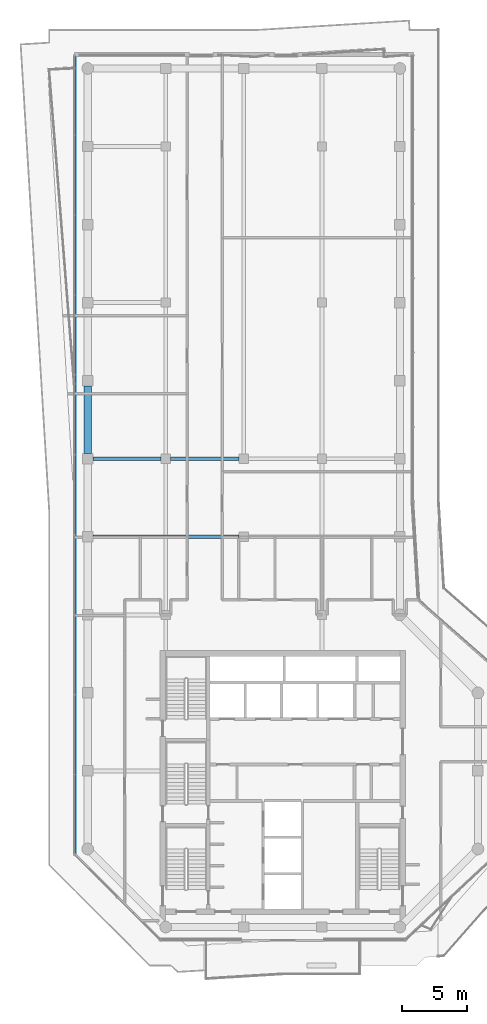
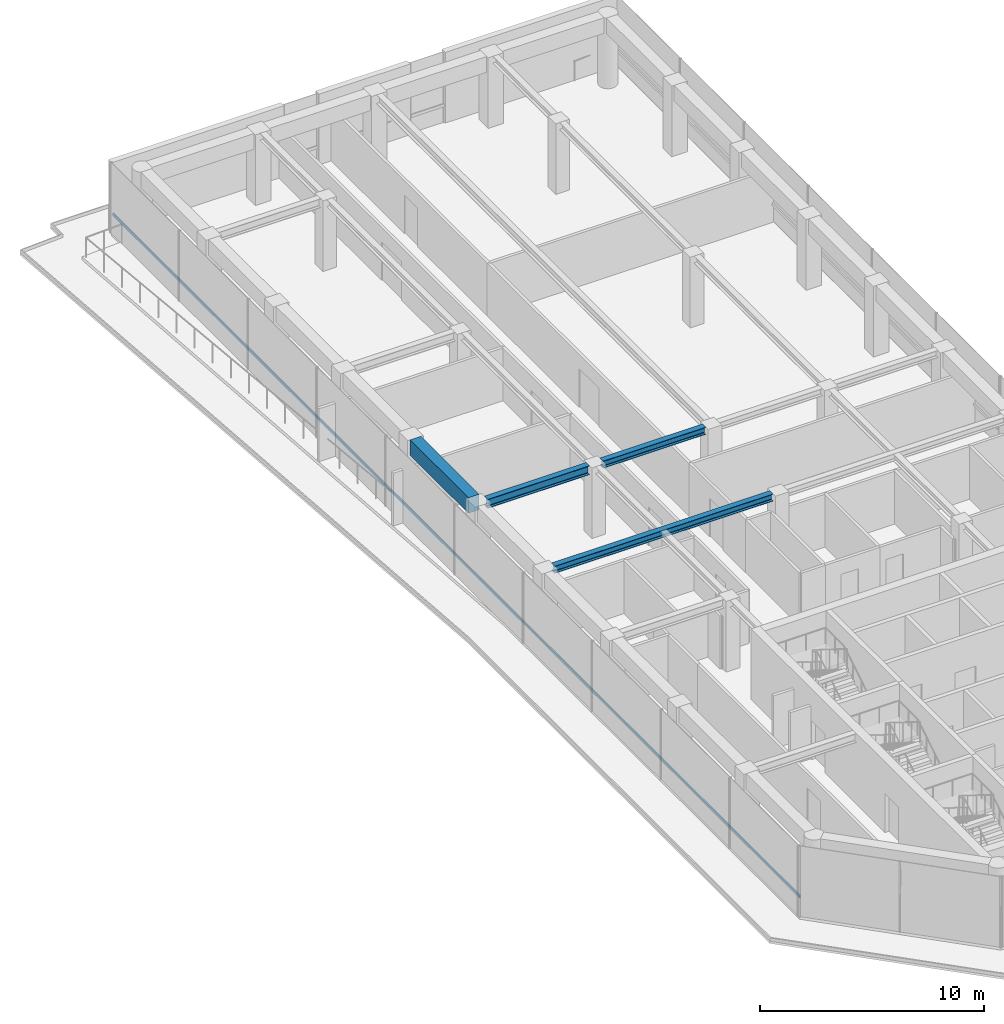
# One storey, part 7 of 21: 4 beams, 1 member, 1 element without a shape of its own.
"""IFC4 building model written with IfcOpenShell, lengths in metres."""

from ifc_helpers import new_model, si_unit, direction, frame, origin, origin_2d, place, context, subcontext, project, spatial, rectangle, i_section, extrude, material, layer, layer_set, material_profile, profile_set, type_object, element, aggregate, save


model = new_model("IFC4")

# Units and contexts
model_context = context("Model", 3, precision=1e-05, world=origin(), true_north=direction((0.0, 1.0)))
body_context = subcontext(model_context, "Body", "Model", "MODEL_VIEW")
ifc_project = project(units=[si_unit("LENGTHUNIT", "METRE"), si_unit("AREAUNIT", "SQUARE_METRE"), si_unit("VOLUMEUNIT", "CUBIC_METRE"), si_unit("PLANEANGLEUNIT", "RADIAN"), si_unit("MASSUNIT", "GRAM", prefix="KILO")], contexts=[model_context])

# Site, building, storey
site_placement = place(None, origin())
site = spatial("IfcSite", under=ifc_project, at=site_placement, CompositionType="ELEMENT")
building_placement = place(site_placement, origin())
building = spatial("IfcBuilding", under=site, at=building_placement, Name="Welwitschia Terrace Campus", CompositionType="ELEMENT")
storey_placement = place(building_placement, frame((0.0, 0.0, 213.800048828125)))
storey = spatial("IfcBuildingStorey", under=building, at=storey_placement, Name="L47", CompositionType="ELEMENT", Elevation=213.800048828125)

# Beams
ifc_material_1 = material(Name="Steel S355", Category="steel")
ifc_material_profile_1 = material_profile(ifc_material_1, i_section(OverallWidth=0.300048828125, OverallDepth=0.389892578125, WebThickness=0.010986328125, FlangeThickness=0.01904296875, FilletRadius=0.027099609375, at=origin_2d()))
ifc_profile_set_1 = profile_set([ifc_material_profile_1], Name="Steel S355")
beam_type_1 = type_object("IfcBeamType", Name="Interior girder HE 400 A", PredefinedType="BEAM", material=ifc_profile_set_1)
beam_1_placement = place(storey_placement, frame((0.390380859375, 34.0, 3.655029296875), z_axis=(1.0, 0.0, 0.0), x_axis=(0.0, 1.0, 0.0)))
element("IfcBeam", 1, at=beam_1_placement, inside=storey, type_object=beam_type_1, Name="Girder GB5", PredefinedType="BEAM", context=body_context, shape_type="SweptSolid", body=[
    extrude(i_section(OverallWidth=0.300048828125, OverallDepth=0.389892578125, WebThickness=0.010986328125, FlangeThickness=0.01904296875, FilletRadius=0.027099609375, at=origin_2d()), origin(), (0.0, 0.0, 1.0), 11.259033203125),
])
beam_2_placement = place(storey_placement, frame((6.3505859375, 40.0, 3.655029296875), z_axis=(1.0, 0.0, 0.0), x_axis=(0.0, 1.0, 0.0)))
element("IfcBeam", 2, at=beam_2_placement, inside=storey, type_object=beam_type_1, Name="Girder GB5", PredefinedType="BEAM", context=body_context, shape_type="SweptSolid", body=[
    extrude(i_section(OverallWidth=0.300048828125, OverallDepth=0.389892578125, WebThickness=0.010986328125, FlangeThickness=0.01904296875, FilletRadius=0.027099609375, at=origin_2d()), origin(), (0.0, 0.0, 1.0), 5.298828125),
])
ifc_material_2 = material(Name="Steel S355", Category="steel")
ifc_material_profile_2 = material_profile(ifc_material_2, i_section(OverallWidth=0.300048828125, OverallDepth=0.489990234375, WebThickness=0.011962890625, FlangeThickness=0.02294921875, FilletRadius=0.027099609375, at=origin_2d()))
ifc_profile_set_2 = profile_set([ifc_material_profile_2], Name="Steel S355")
beam_type_2 = type_object("IfcBeamType", Name="Primary beam HE 500 A", PredefinedType="BEAM", material=ifc_profile_set_2)
beam_3_placement = place(storey_placement, frame((0.400390625, 40.0, 3.60498046875), z_axis=(1.0, 0.0, 0.0), x_axis=(0.0, 1.0, 0.0)))
element("IfcBeam", 3, at=beam_3_placement, inside=storey, type_object=beam_type_2, Name="Primary beam PB5", PredefinedType="BEAM", context=body_context, shape_type="SweptSolid", body=[
    extrude(i_section(OverallWidth=0.300048828125, OverallDepth=0.489990234375, WebThickness=0.011962890625, FlangeThickness=0.02294921875, FilletRadius=0.027099609375, at=origin_2d()), origin(), (0.0, 0.0, 1.0), 5.2490234375),
])
ifc_material_3 = material(Name="Concrete C50/60", Category="concrete")
ifc_material_profile_3 = material_profile(ifc_material_3, rectangle(XDim=0.550048828125, YDim=0.85009765625, at=origin_2d()))
ifc_profile_set_3 = profile_set([ifc_material_profile_3], Name="Concrete C50/60")
beam_type_3 = type_object("IfcBeamType", Name="Ring spandrel 550x850", PredefinedType="SPANDREL", material=ifc_profile_set_3)
beam_4_placement = place(storey_placement, frame((0.0, 45.599609375, 3.425048828125), z_axis=(0.0, -1.0, 0.0), x_axis=(1.0, 0.0, 0.0)))
element("IfcBeam", 4, at=beam_4_placement, inside=storey, type_object=beam_type_3, Name="Spandrel SP3", PredefinedType="SPANDREL", context=body_context, shape_type="SweptSolid", body=[
    extrude(rectangle(XDim=0.550048828125, YDim=0.85009765625, at=origin_2d()), origin(), (0.0, 0.0, 1.0), 5.19921875),
])

# Curtain wall, member
ifc_material_4 = material(Name="Bronze anodised aluminium", Category="aluminium")
ifc_layer = layer(ifc_material_4, 0.1201171875)
ifc_layer_set = layer_set([ifc_layer], Name="Bronze anodised aluminium")
curtain_wall_type = type_object("IfcCurtainWallType", Name="Curtain wall CW2 tower 6000", PredefinedType="NOTDEFINED", material=ifc_layer_set)
curtain_wall_placement = place(storey_placement, origin())
curtain_wall = element("IfcCurtainWall", 5, at=curtain_wall_placement, inside=storey, type_object=curtain_wall_type, Name="CW L47.8.0", PredefinedType="NOTDEFINED")
ifc_material_5 = material(Name="Bronze anodised aluminium", Category="aluminium")
ifc_material_profile_4 = material_profile(ifc_material_5, rectangle(XDim=0.06005859375, YDim=0.14990234375, at=origin_2d()))
ifc_profile_set_4 = profile_set([ifc_material_profile_4], Name="Bronze anodised aluminium")
member_type = type_object("IfcMemberType", Name="Transom 60x150", PredefinedType="USERDEFINED", material=ifc_profile_set_4)
member_placement = place(storey_placement, frame((-0.93994140625, 70.969970703125, 1.0), z_axis=(0.0, -1.0, 0.0), x_axis=(1.0, 0.0, 0.0)))
member = element("IfcMember", 6, at=member_placement, type_object=member_type, Name="Transom L47.8.0", ObjectType="TRANSOM", PredefinedType="USERDEFINED", context=body_context, shape_type="SweptSolid", body=[
    extrude(rectangle(XDim=0.06005859375, YDim=0.14990234375, at=origin_2d()), origin(), (0.0, 0.0, 1.0), 61.336669921875),
])
aggregate(curtain_wall, [member])

save(model, "model.ifc")
